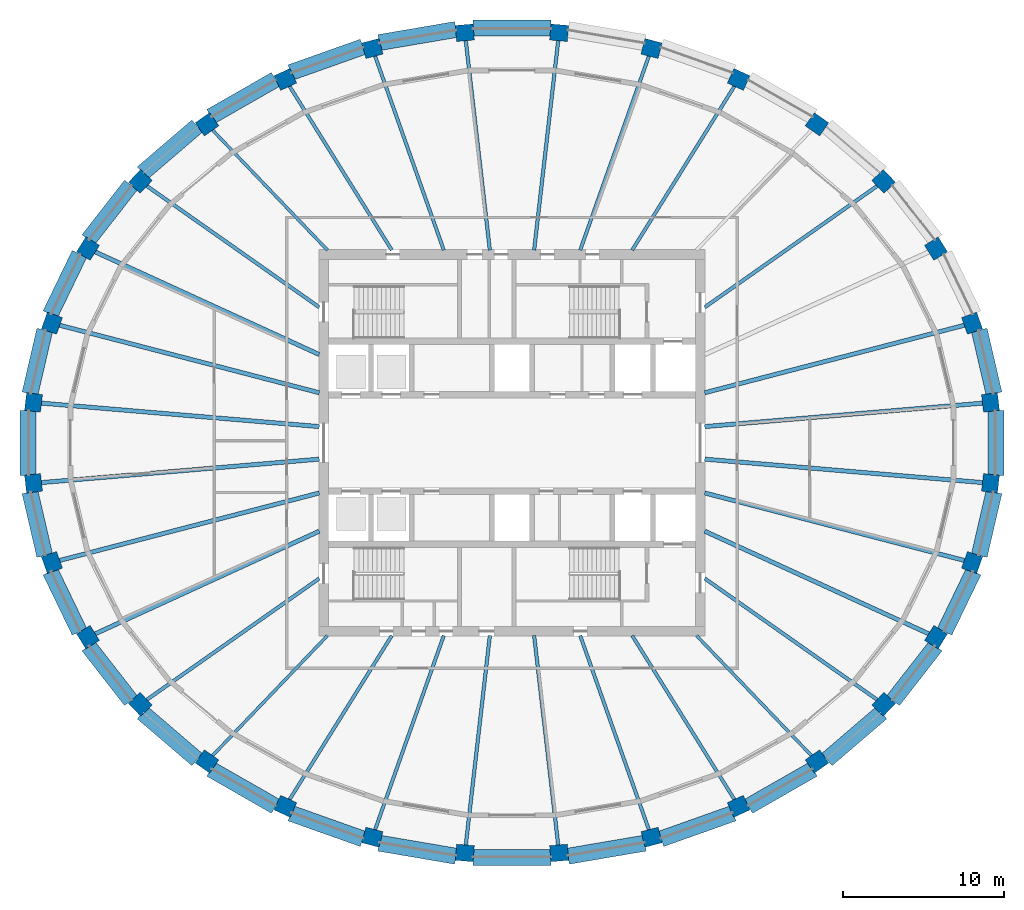
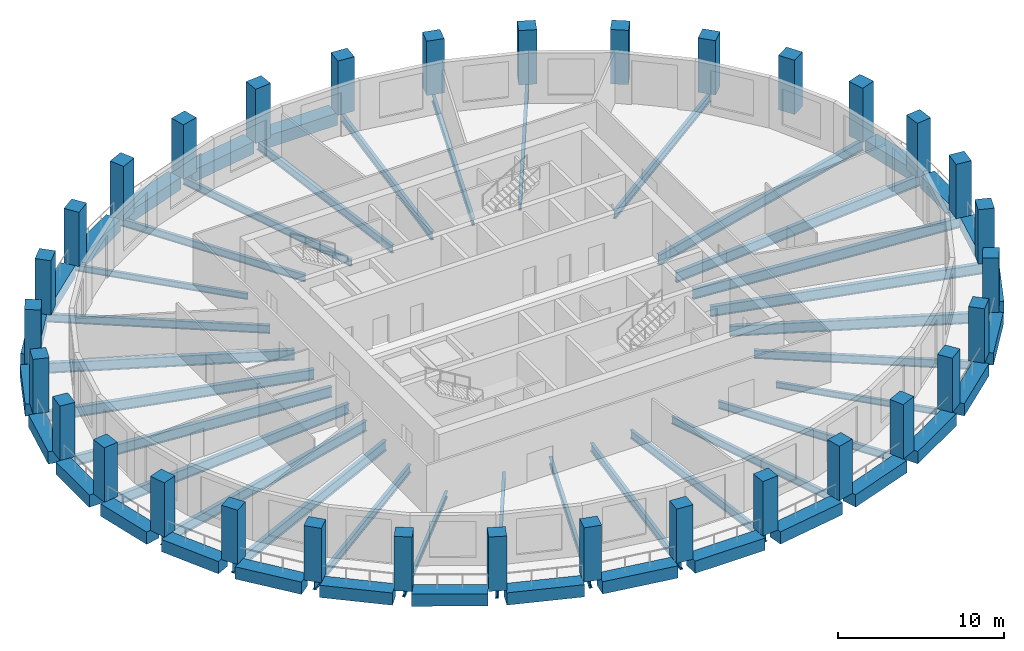
# One storey, part 1 of 10: 56 beams, 32 columns.
"""IFC4 building model written with IfcOpenShell, lengths in metres."""

from ifc_helpers import new_model, si_unit, direction, frame, origin, origin_2d, place, context, subcontext, project, spatial, rectangle, i_section, extrude, material, material_profile, profile_set, type_object, element, save


model = new_model("IFC4")

# Units and contexts
model_context = context("Model", 3, precision=1e-05, world=origin(), true_north=direction((0.0, 1.0)))
body_context = subcontext(model_context, "Body", "Model", "MODEL_VIEW")
ifc_project = project(units=[si_unit("LENGTHUNIT", "METRE"), si_unit("AREAUNIT", "SQUARE_METRE"), si_unit("VOLUMEUNIT", "CUBIC_METRE"), si_unit("PLANEANGLEUNIT", "RADIAN"), si_unit("MASSUNIT", "GRAM", prefix="KILO")], contexts=[model_context])

# Site, building, storey
site_placement = place(None, origin())
site = spatial("IfcSite", under=ifc_project, at=site_placement, CompositionType="ELEMENT")
building_placement = place(site_placement, origin())
building = spatial("IfcBuilding", under=site, at=building_placement, Name="Halqa Exchange Tower", CompositionType="ELEMENT")
storey_placement = place(building_placement, frame((0.0, 0.0, 264.300048828125)))
storey = spatial("IfcBuildingStorey", under=building, at=storey_placement, Name="L61", CompositionType="ELEMENT", Elevation=264.300048828125)

# Columns
ifc_material_1 = material(Name="Concrete C60/75", Category="concrete")
ifc_material_profile_1 = material_profile(ifc_material_1, rectangle(XDim=1.10009765625, YDim=1.0, at=origin_2d()), Name="1100 x 1000")
ifc_profile_set_1 = profile_set([ifc_material_profile_1], Name="Concrete C60/75")
column_type = type_object("IfcColumnType", Name="RC ring column 1100 x 1000 C60/75", PredefinedType="COLUMN", material=ifc_profile_set_1)
for number, where, z_axis, x_axis, name in (
    (1, (29.724609375, 2.509521484375, 0.0), (0.0, 0.0, 1.0), (-0.114155188058, 0.993462929877, 0.0), "Ring column 1"),
    (2, (28.582275390625, 7.431640625, 0.0), (0.0, 0.0, 1.0), (-0.33362752424, 0.942704977747, 0.0), "Ring column 2"),
    (3, (26.341552734375, 12.068603515625, 0.0), (0.0, 0.0, 1.0), (-0.529141977228, 0.848533303964, 0.0), "Ring column 3"),
    (4, (23.088623046875, 16.241455078125, 0.0), (0.0, 0.0, 1.0), (-0.69157987326, 0.722299992317, 0.0), "Ring column 4"),
    (5, (18.9482421875, 19.790283203125, 0.0), (0.0, 0.0, 1.0), (-0.817906779671, 0.575350762377, 0.0), "Ring column 5"),
    (6, (14.079833984375, 22.57861328125, 0.0), (0.0, 0.0, 1.0), (-0.909127095833, 0.416518815449, 0.0), "Ring column 6"),
    (7, (8.67041015625, 24.4990234375, 0.0), (0.0, 0.0, 1.0), (-0.967820381973, 0.251642023988, 0.0), "Ring column 7"),
    (8, (2.927490234375, 25.478271484375, 0.0), (0.0, 0.0, 1.0), (-0.996455518985, 0.084121333105, 0.0), "Ring column 8"),
    (9, (-2.927490234375, 25.478271484375, 0.0), (0.0, 0.0, 1.0), (-0.996455518985, -0.084121333105, 0.0), "Ring column 9"),
    (10, (-8.67041015625, 24.4990234375, 0.0), (0.0, 0.0, 1.0), (-0.967820381973, -0.251642023988, 0.0), "Ring column 10"),
    (11, (-14.079833984375, 22.57861328125, 0.0), (0.0, 0.0, 1.0), (-0.909127095833, -0.416518815449, 0.0), "Ring column 11"),
    (12, (-18.9482421875, 19.790283203125, 0.0), (0.0, 0.0, 1.0), (-0.817906779671, -0.575350762377, 0.0), "Ring column 12"),
    (13, (-23.088623046875, 16.241455078125, 0.0), (0.0, 0.0, 1.0), (-0.69157987326, -0.722299992317, 0.0), "Ring column 13"),
    (14, (-26.341552734375, 12.068603515625, 0.0), (0.0, 0.0, 1.0), (-0.529141977228, -0.848533303964, 0.0), "Ring column 14"),
    (15, (-28.582275390625, 7.431640625, 0.0), (0.0, 0.0, 1.0), (-0.33362752424, -0.942704977747, 0.0), "Ring column 15"),
    (16, (-29.724609375, 2.509521484375, 0.0), (0.0, 0.0, 1.0), (-0.114155188058, -0.993462929877, 0.0), "Ring column 16"),
    (17, (-29.724609375, -2.509521484375, 0.0), (0.0, 0.0, 1.0), (0.114155188058, -0.993462929877, 0.0), "Ring column 17"),
    (18, (-28.582275390625, -7.431640625, 0.0), (0.0, 0.0, 1.0), (0.33362752424, -0.942704977747, 0.0), "Ring column 18"),
    (19, (-26.341552734375, -12.068603515625, 0.0), (0.0, 0.0, 1.0), (0.529141977228, -0.848533303964, 0.0), "Ring column 19"),
    (20, (-23.088623046875, -16.241455078125, 0.0), (0.0, 0.0, 1.0), (0.69157987326, -0.722299992317, 0.0), "Ring column 20"),
    (21, (-18.9482421875, -19.790283203125, 0.0), (0.0, 0.0, 1.0), (0.817906779671, -0.575350762377, 0.0), "Ring column 21"),
    (22, (-14.079833984375, -22.57861328125, 0.0), (0.0, 0.0, 1.0), (0.909127095833, -0.416518815449, 0.0), "Ring column 22"),
    (23, (-8.67041015625, -24.4990234375, 0.0), (0.0, 0.0, 1.0), (0.967820381973, -0.251642023988, 0.0), "Ring column 23"),
    (24, (-2.927490234375, -25.478271484375, 0.0), (0.0, 0.0, 1.0), (0.996455518985, -0.084121333105, 0.0), "Ring column 24"),
    (25, (2.927490234375, -25.478271484375, 0.0), (0.0, 0.0, 1.0), (0.996455518985, 0.084121333105, 0.0), "Ring column 25"),
    (26, (8.67041015625, -24.4990234375, 0.0), (0.0, 0.0, 1.0), (0.967820381973, 0.251642023988, 0.0), "Ring column 26"),
    (27, (14.079833984375, -22.57861328125, 0.0), (0.0, 0.0, 1.0), (0.909127095833, 0.416518815449, 0.0), "Ring column 27"),
    (28, (18.9482421875, -19.790283203125, 0.0), (0.0, 0.0, 1.0), (0.817906779671, 0.575350762377, 0.0), "Ring column 28"),
    (29, (23.088623046875, -16.241455078125, 0.0), (0.0, 0.0, 1.0), (0.69157987326, 0.722299992317, 0.0), "Ring column 29"),
    (30, (26.341552734375, -12.068603515625, 0.0), (0.0, 0.0, 1.0), (0.529141977228, 0.848533303964, 0.0), "Ring column 30"),
    (31, (28.582275390625, -7.431640625, 0.0), (0.0, 0.0, 1.0), (0.33362752424, 0.942704977747, 0.0), "Ring column 31"),
    (32, (29.724609375, -2.509521484375, 0.0), (0.0, 0.0, 1.0), (0.114155188058, 0.993462929877, 0.0), "Ring column 32"),
):
    element("IfcColumn", number, at=place(storey_placement, frame(where, z_axis=z_axis, x_axis=x_axis)), inside=storey, type_object=column_type, Name=name, PredefinedType="COLUMN", context=body_context, shape_type="SweptSolid", body=[
        extrude(rectangle(XDim=1.10009765625, YDim=1.0, at=origin_2d()), origin(), (0.0, 0.0, 1.0), 4.0),
    ])

# Beams
ifc_material_2 = material(Name="Steel S355", Category="steel")
ifc_material_profile_2 = material_profile(ifc_material_2, i_section(OverallWidth=0.18994140625, OverallDepth=0.449951171875, WebThickness=0.009521484375, FlangeThickness=0.0146484375, FilletRadius=0.02099609375, at=origin_2d()), Name="IPE 450")
ifc_profile_set_2 = profile_set([ifc_material_profile_2], Name="Steel S355")
beam_type_1 = type_object("IfcBeamType", Name="Floor beam IPE 450", PredefinedType="BEAM", material=ifc_profile_set_2)
for number, where, z_axis, x_axis, name in (
    (33, (-11.462890625, 11.97216796875, -0.525146484375), (-0.691571250257, 0.722308248477, 0.0), (-0.722308248477, -0.691571250257, 0.0), "Radial beam 12"),
    (34, (-11.462890625, -11.97216796875, -0.525146484375), (-0.691571250257, -0.722308248477, 0.0), (0.722308248477, -0.691571250257, 0.0), "Radial beam 21"),
    (35, (11.462890625, -11.97216796875, -0.525146484375), (0.691571250257, -0.722308248477, 0.0), (0.722308248477, 0.691571250257, 0.0), "Radial beam 28"),
):
    element("IfcBeam", number, at=place(storey_placement, frame(where, z_axis=z_axis, x_axis=x_axis)), inside=storey, type_object=beam_type_1, Name=name, PredefinedType="BEAM", context=body_context, shape_type="SweptSolid", body=[
        extrude(i_section(OverallWidth=0.18994140625, OverallDepth=0.449951171875, WebThickness=0.009521484375, FlangeThickness=0.0146484375, FilletRadius=0.02099609375, at=origin_2d()), origin(), (0.0, 0.0, 1.0), 10.8896484375),
    ])
ifc_material_profile_3 = material_profile(ifc_material_2, i_section(OverallWidth=0.2099609375, OverallDepth=0.550048828125, WebThickness=0.010986328125, FlangeThickness=0.01708984375, FilletRadius=0.02392578125, at=origin_2d()), Name="IPE 550")
ifc_profile_set_3 = profile_set([ifc_material_profile_3], Name="Steel S355")
beam_type_2 = type_object("IfcBeamType", Name="Floor beam IPE 550", PredefinedType="BEAM", material=ifc_profile_set_3)
beam_1_placement = place(storey_placement, frame((7.46533203125, 11.971435546875, -0.574951171875), z_axis=(0.529149067811, 0.848528882263, 0.0), x_axis=(-0.848528882263, 0.529149067811, 0.0)))
element("IfcBeam", 36, at=beam_1_placement, inside=storey, type_object=beam_type_2, Name="Radial beam 6", PredefinedType="BEAM", context=body_context, shape_type="SweptSolid", body=[
    extrude(i_section(OverallWidth=0.2099609375, OverallDepth=0.550048828125, WebThickness=0.010986328125, FlangeThickness=0.01708984375, FilletRadius=0.02392578125, at=origin_2d()), origin(), (0.0, 0.0, 1.0), 12.55322265625),
])
for number, where, z_axis, x_axis, name in (
    (37, (4.23681640625, 11.971923828125, -0.574951171875), (0.333635977783, 0.942701985958, 0.0), (-0.942701985958, 0.333635977783, 0.0), "Radial beam 7"),
    (38, (-4.23681640625, 11.971923828125, -0.574951171875), (-0.333635977783, 0.942701985958, 0.0), (-0.942701985958, -0.333635977783, 0.0), "Radial beam 10"),
):
    element("IfcBeam", number, at=place(storey_placement, frame(where, z_axis=z_axis, x_axis=x_axis)), inside=storey, type_object=beam_type_2, Name=name, PredefinedType="BEAM", context=body_context, shape_type="SweptSolid", body=[
        extrude(i_section(OverallWidth=0.2099609375, OverallDepth=0.550048828125, WebThickness=0.010986328125, FlangeThickness=0.01708984375, FilletRadius=0.02392578125, at=origin_2d()), origin(), (0.0, 0.0, 1.0), 13.333984375),
    ])
for number, where, z_axis, x_axis, name in (
    (39, (-7.46533203125, 11.971435546875, -0.574951171875), (-0.529149067811, 0.848528882263, 0.0), (-0.848528882263, -0.529149067811, 0.0), "Radial beam 11"),
    (40, (-7.46533203125, -11.971435546875, -0.574951171875), (-0.529149067811, -0.848528882263, 0.0), (0.848528882263, -0.529149067811, 0.0), "Radial beam 22"),
):
    element("IfcBeam", number, at=place(storey_placement, frame(where, z_axis=z_axis, x_axis=x_axis)), inside=storey, type_object=beam_type_2, Name=name, PredefinedType="BEAM", context=body_context, shape_type="SweptSolid", body=[
        extrude(i_section(OverallWidth=0.2099609375, OverallDepth=0.550048828125, WebThickness=0.010986328125, FlangeThickness=0.01708984375, FilletRadius=0.02392578125, at=origin_2d()), origin(), (0.0, 0.0, 1.0), 12.55322265625),
    ])
for number, where, z_axis, x_axis, name in (
    (41, (-4.23681640625, -11.971923828125, -0.574951171875), (-0.333635977783, -0.942701985958, 0.0), (0.942701985958, -0.333635977783, 0.0), "Radial beam 23"),
    (42, (4.23681640625, -11.971923828125, -0.574951171875), (0.333635977783, -0.942701985958, 0.0), (0.942701985958, 0.333635977783, 0.0), "Radial beam 26"),
):
    element("IfcBeam", number, at=place(storey_placement, frame(where, z_axis=z_axis, x_axis=x_axis)), inside=storey, type_object=beam_type_2, Name=name, PredefinedType="BEAM", context=body_context, shape_type="SweptSolid", body=[
        extrude(i_section(OverallWidth=0.2099609375, OverallDepth=0.550048828125, WebThickness=0.010986328125, FlangeThickness=0.01708984375, FilletRadius=0.02392578125, at=origin_2d()), origin(), (0.0, 0.0, 1.0), 13.333984375),
    ])
beam_2_placement = place(storey_placement, frame((7.46533203125, -11.971435546875, -0.574951171875), z_axis=(0.529149067811, -0.848528882263, 0.0), x_axis=(0.848528882263, 0.529149067811, 0.0)))
element("IfcBeam", 43, at=beam_2_placement, inside=storey, type_object=beam_type_2, Name="Radial beam 27", PredefinedType="BEAM", context=body_context, shape_type="SweptSolid", body=[
    extrude(i_section(OverallWidth=0.2099609375, OverallDepth=0.550048828125, WebThickness=0.010986328125, FlangeThickness=0.01708984375, FilletRadius=0.02392578125, at=origin_2d()), origin(), (0.0, 0.0, 1.0), 12.55322265625),
])
ifc_material_profile_4 = material_profile(ifc_material_2, i_section(OverallWidth=0.219970703125, OverallDepth=0.60009765625, WebThickness=0.011962890625, FlangeThickness=0.01904296875, FilletRadius=0.02392578125, at=origin_2d()), Name="IPE 600")
ifc_profile_set_4 = profile_set([ifc_material_profile_4], Name="Steel S355")
beam_type_3 = type_object("IfcBeamType", Name="Floor beam IPE 600", PredefinedType="BEAM", material=ifc_profile_set_4)
beam_3_placement = place(storey_placement, frame((11.972412109375, 8.421875, -0.60009765625), z_axis=(0.817903224898, 0.575355815737, 0.0), x_axis=(-0.575355815737, 0.817903224898, 0.0)))
element("IfcBeam", 44, at=beam_3_placement, inside=storey, type_object=beam_type_3, Name="Radial beam 4", PredefinedType="BEAM", context=body_context, shape_type="SweptSolid", body=[
    extrude(i_section(OverallWidth=0.219970703125, OverallDepth=0.60009765625, WebThickness=0.011962890625, FlangeThickness=0.01904296875, FilletRadius=0.02392578125, at=origin_2d()), origin(), (0.0, 0.0, 1.0), 13.670166015625),
])
for number, where, z_axis, x_axis, name in (
    (45, (1.375732421875, 11.972412109375, -0.60009765625), (0.114153092287, 0.993463170692, 0.0), (-0.993463170692, 0.114153092287, 0.0), "Radial beam 8"),
    (46, (-1.375732421875, 11.972412109375, -0.60009765625), (-0.114153092287, 0.993463170692, 0.0), (-0.993463170692, -0.114153092287, 0.0), "Radial beam 9"),
):
    element("IfcBeam", number, at=place(storey_placement, frame(where, z_axis=z_axis, x_axis=x_axis)), inside=storey, type_object=beam_type_3, Name=name, PredefinedType="BEAM", context=body_context, shape_type="SweptSolid", body=[
        extrude(i_section(OverallWidth=0.219970703125, OverallDepth=0.60009765625, WebThickness=0.011962890625, FlangeThickness=0.01904296875, FilletRadius=0.02392578125, at=origin_2d()), origin(), (0.0, 0.0, 1.0), 13.63427734375),
    ])
for number, where, z_axis, x_axis, name in (
    (47, (-11.972412109375, 8.421875, -0.60009765625), (-0.817903224898, 0.575355815737, 0.0), (-0.575355815737, -0.817903224898, 0.0), "Radial beam 13"),
    (48, (-11.972412109375, -8.421875, -0.60009765625), (-0.817903224898, -0.575355815737, 0.0), (0.575355815737, -0.817903224898, 0.0), "Radial beam 20"),
):
    element("IfcBeam", number, at=place(storey_placement, frame(where, z_axis=z_axis, x_axis=x_axis)), inside=storey, type_object=beam_type_3, Name=name, PredefinedType="BEAM", context=body_context, shape_type="SweptSolid", body=[
        extrude(i_section(OverallWidth=0.219970703125, OverallDepth=0.60009765625, WebThickness=0.011962890625, FlangeThickness=0.01904296875, FilletRadius=0.02392578125, at=origin_2d()), origin(), (0.0, 0.0, 1.0), 13.670166015625),
    ])
for number, where, z_axis, x_axis, name in (
    (49, (-1.375732421875, -11.972412109375, -0.60009765625), (-0.114153092287, -0.993463170692, 0.0), (0.993463170692, -0.114153092287, 0.0), "Radial beam 24"),
    (50, (1.375732421875, -11.972412109375, -0.60009765625), (0.114153092287, -0.993463170692, 0.0), (0.993463170692, 0.114153092287, 0.0), "Radial beam 25"),
):
    element("IfcBeam", number, at=place(storey_placement, frame(where, z_axis=z_axis, x_axis=x_axis)), inside=storey, type_object=beam_type_3, Name=name, PredefinedType="BEAM", context=body_context, shape_type="SweptSolid", body=[
        extrude(i_section(OverallWidth=0.219970703125, OverallDepth=0.60009765625, WebThickness=0.011962890625, FlangeThickness=0.01904296875, FilletRadius=0.02392578125, at=origin_2d()), origin(), (0.0, 0.0, 1.0), 13.63427734375),
    ])
beam_4_placement = place(storey_placement, frame((11.972412109375, -8.421875, -0.60009765625), z_axis=(0.817903224898, -0.575355815737, 0.0), x_axis=(0.575355815737, 0.817903224898, 0.0)))
element("IfcBeam", 51, at=beam_4_placement, inside=storey, type_object=beam_type_3, Name="Radial beam 29", PredefinedType="BEAM", context=body_context, shape_type="SweptSolid", body=[
    extrude(i_section(OverallWidth=0.219970703125, OverallDepth=0.60009765625, WebThickness=0.011962890625, FlangeThickness=0.01904296875, FilletRadius=0.02392578125, at=origin_2d()), origin(), (0.0, 0.0, 1.0), 13.670166015625),
])
ifc_material_profile_5 = material_profile(ifc_material_2, i_section(OverallWidth=0.264892578125, OverallDepth=0.7529296875, WebThickness=0.01318359375, FlangeThickness=0.01708984375, FilletRadius=0.01708984375, at=origin_2d()), Name="IPE 750x147")
ifc_profile_set_5 = profile_set([ifc_material_profile_5], Name="Steel S355")
beam_type_4 = type_object("IfcBeamType", Name="Floor beam IPE 750x147", PredefinedType="BEAM", material=ifc_profile_set_5)
beam_5_placement = place(storey_placement, frame((11.972900390625, 1.0107421875, -0.676513671875), z_axis=(0.996455563902, 0.084120801042, 0.0), x_axis=(-0.084120801042, 0.996455563902, 0.0)))
element("IfcBeam", 52, at=beam_5_placement, inside=storey, type_object=beam_type_4, Name="Radial beam 1", PredefinedType="BEAM", context=body_context, shape_type="SweptSolid", body=[
    extrude(i_section(OverallWidth=0.264892578125, OverallDepth=0.7529296875, WebThickness=0.01318359375, FlangeThickness=0.01708984375, FilletRadius=0.01708984375, at=origin_2d()), origin(), (0.0, 0.0, 1.0), 17.92431640625),
])
beam_6_placement = place(storey_placement, frame((11.97265625, 3.113037109375, -0.676513671875), z_axis=(0.96781864941, 0.25164868737, 0.0), x_axis=(-0.25164868737, 0.96781864941, 0.0)))
element("IfcBeam", 53, at=beam_6_placement, inside=storey, type_object=beam_type_4, Name="Radial beam 2", PredefinedType="BEAM", context=body_context, shape_type="SweptSolid", body=[
    extrude(i_section(OverallWidth=0.264892578125, OverallDepth=0.7529296875, WebThickness=0.01318359375, FlangeThickness=0.01708984375, FilletRadius=0.01708984375, at=origin_2d()), origin(), (0.0, 0.0, 1.0), 17.26416015625),
])
beam_7_placement = place(storey_placement, frame((-11.972412109375, 5.485107421875, -0.676513671875), z_axis=(-0.909125405475, 0.416522504938, 0.0), x_axis=(-0.416522504938, -0.909125405475, 0.0)))
element("IfcBeam", 54, at=beam_7_placement, inside=storey, type_object=beam_type_4, Name="Radial beam 14", PredefinedType="BEAM", context=body_context, shape_type="SweptSolid", body=[
    extrude(i_section(OverallWidth=0.264892578125, OverallDepth=0.7529296875, WebThickness=0.01318359375, FlangeThickness=0.01708984375, FilletRadius=0.01708984375, at=origin_2d()), origin(), (0.0, 0.0, 1.0), 15.897216796875),
])
beam_8_placement = place(storey_placement, frame((-11.97265625, 3.113037109375, -0.676513671875), z_axis=(-0.96781864941, 0.25164868737, 0.0), x_axis=(-0.25164868737, -0.96781864941, 0.0)))
element("IfcBeam", 55, at=beam_8_placement, inside=storey, type_object=beam_type_4, Name="Radial beam 15", PredefinedType="BEAM", context=body_context, shape_type="SweptSolid", body=[
    extrude(i_section(OverallWidth=0.264892578125, OverallDepth=0.7529296875, WebThickness=0.01318359375, FlangeThickness=0.01708984375, FilletRadius=0.01708984375, at=origin_2d()), origin(), (0.0, 0.0, 1.0), 17.26416015625),
])
for number, where, z_axis, x_axis, name in (
    (56, (-11.972900390625, 1.0107421875, -0.676513671875), (-0.996455563902, 0.084120801042, 0.0), (-0.084120801042, -0.996455563902, 0.0), "Radial beam 16"),
    (57, (-11.972900390625, -1.0107421875, -0.676513671875), (-0.996455563902, -0.084120801042, 0.0), (0.084120801042, -0.996455563902, 0.0), "Radial beam 17"),
):
    element("IfcBeam", number, at=place(storey_placement, frame(where, z_axis=z_axis, x_axis=x_axis)), inside=storey, type_object=beam_type_4, Name=name, PredefinedType="BEAM", context=body_context, shape_type="SweptSolid", body=[
        extrude(i_section(OverallWidth=0.264892578125, OverallDepth=0.7529296875, WebThickness=0.01318359375, FlangeThickness=0.01708984375, FilletRadius=0.01708984375, at=origin_2d()), origin(), (0.0, 0.0, 1.0), 17.92431640625),
    ])
beam_9_placement = place(storey_placement, frame((-11.97265625, -3.113037109375, -0.676513671875), z_axis=(-0.96781864941, -0.25164868737, 0.0), x_axis=(0.25164868737, -0.96781864941, 0.0)))
element("IfcBeam", 58, at=beam_9_placement, inside=storey, type_object=beam_type_4, Name="Radial beam 18", PredefinedType="BEAM", context=body_context, shape_type="SweptSolid", body=[
    extrude(i_section(OverallWidth=0.264892578125, OverallDepth=0.7529296875, WebThickness=0.01318359375, FlangeThickness=0.01708984375, FilletRadius=0.01708984375, at=origin_2d()), origin(), (0.0, 0.0, 1.0), 17.26416015625),
])
for number, where, z_axis, x_axis, name in (
    (59, (-11.972412109375, -5.485107421875, -0.676513671875), (-0.909125405475, -0.416522504938, 0.0), (0.416522504938, -0.909125405475, 0.0), "Radial beam 19"),
    (60, (11.972412109375, -5.485107421875, -0.676513671875), (0.909125405475, -0.416522504938, 0.0), (0.416522504938, 0.909125405475, 0.0), "Radial beam 30"),
):
    element("IfcBeam", number, at=place(storey_placement, frame(where, z_axis=z_axis, x_axis=x_axis)), inside=storey, type_object=beam_type_4, Name=name, PredefinedType="BEAM", context=body_context, shape_type="SweptSolid", body=[
        extrude(i_section(OverallWidth=0.264892578125, OverallDepth=0.7529296875, WebThickness=0.01318359375, FlangeThickness=0.01708984375, FilletRadius=0.01708984375, at=origin_2d()), origin(), (0.0, 0.0, 1.0), 15.897216796875),
    ])
beam_10_placement = place(storey_placement, frame((11.97265625, -3.113037109375, -0.676513671875), z_axis=(0.96781864941, -0.25164868737, 0.0), x_axis=(0.25164868737, 0.96781864941, 0.0)))
element("IfcBeam", 61, at=beam_10_placement, inside=storey, type_object=beam_type_4, Name="Radial beam 31", PredefinedType="BEAM", context=body_context, shape_type="SweptSolid", body=[
    extrude(i_section(OverallWidth=0.264892578125, OverallDepth=0.7529296875, WebThickness=0.01318359375, FlangeThickness=0.01708984375, FilletRadius=0.01708984375, at=origin_2d()), origin(), (0.0, 0.0, 1.0), 17.26416015625),
])
beam_11_placement = place(storey_placement, frame((11.972900390625, -1.0107421875, -0.676513671875), z_axis=(0.996455563902, -0.084120801042, 0.0), x_axis=(0.084120801042, 0.996455563902, 0.0)))
element("IfcBeam", 62, at=beam_11_placement, inside=storey, type_object=beam_type_4, Name="Radial beam 32", PredefinedType="BEAM", context=body_context, shape_type="SweptSolid", body=[
    extrude(i_section(OverallWidth=0.264892578125, OverallDepth=0.7529296875, WebThickness=0.01318359375, FlangeThickness=0.01708984375, FilletRadius=0.01708984375, at=origin_2d()), origin(), (0.0, 0.0, 1.0), 17.92431640625),
])
ifc_material_profile_6 = material_profile(ifc_material_1, rectangle(XDim=1.0, YDim=0.89990234375, at=origin_2d()), Name="1000 x 900")
ifc_profile_set_6 = profile_set([ifc_material_profile_6], Name="Concrete C60/75")
beam_type_5 = type_object("IfcBeamType", Name="RC spandrel beam 1000 x 900 C60/75", PredefinedType="SPANDREL", material=ifc_profile_set_6)
beam_12_placement = place(storey_placement, frame((29.9462890625, 3.04931640625, -0.449951171875), z_axis=(-0.226031895623, 0.974119901327, 0.0), x_axis=(-0.974119901327, -0.226031895623, 0.0)))
element("IfcBeam", 63, at=beam_12_placement, inside=storey, type_object=beam_type_5, Name="Spandrel 1", PredefinedType="SPANDREL", context=body_context, shape_type="SweptSolid", body=[
    extrude(rectangle(XDim=1.0, YDim=0.89990234375, at=origin_2d()), origin(), (0.0, 0.0, 1.0), 4.06005859375),
])
beam_13_placement = place(storey_placement, frame((2.4375, 25.77001953125, -0.449951171875), z_axis=(-1.0, 0.0, 0.0), x_axis=(0.0, -1.0, 0.0)))
element("IfcBeam", 64, at=beam_13_placement, inside=storey, type_object=beam_type_5, Name="Spandrel 8", PredefinedType="SPANDREL", context=body_context, shape_type="SweptSolid", body=[
    extrude(rectangle(XDim=1.0, YDim=0.89990234375, at=origin_2d()), origin(), (0.0, 0.0, 1.0), 4.875),
])
beam_14_placement = place(storey_placement, frame((-3.4775390625, 25.681884765625, -0.449951171875), z_axis=(-0.985781051948, -0.168034870249, 0.0), x_axis=(0.168034870249, -0.985781051948, 0.0)))
element("IfcBeam", 65, at=beam_14_placement, inside=storey, type_object=beam_type_5, Name="Spandrel 9", PredefinedType="SPANDREL", context=body_context, shape_type="SweptSolid", body=[
    extrude(rectangle(XDim=1.0, YDim=0.89990234375, at=origin_2d()), origin(), (0.0, 0.0, 1.0), 4.843994140625),
])
beam_15_placement = place(storey_placement, frame((-9.26416015625, 24.60400390625, -0.449951171875), z_axis=(-0.942372957307, -0.334564208094, 0.0), x_axis=(0.334564208094, -0.942372957307, 0.0)))
element("IfcBeam", 66, at=beam_15_placement, inside=storey, type_object=beam_type_5, Name="Spandrel 10", PredefinedType="SPANDREL", context=body_context, shape_type="SweptSolid", body=[
    extrude(rectangle(XDim=1.0, YDim=0.89990234375, at=origin_2d()), origin(), (0.0, 0.0, 1.0), 4.7578125),
])
beam_16_placement = place(storey_placement, frame((-14.6962890625, 22.576416015625, -0.449951171875), z_axis=(-0.867755612748, -0.496991143326, 0.0), x_axis=(0.496991143326, -0.867755612748, 0.0)))
element("IfcBeam", 67, at=beam_16_placement, inside=storey, type_object=beam_type_5, Name="Spandrel 11", PredefinedType="SPANDREL", context=body_context, shape_type="SweptSolid", body=[
    extrude(rectangle(XDim=1.0, YDim=0.89990234375, at=origin_2d()), origin(), (0.0, 0.0, 1.0), 4.62646484375),
])
beam_17_placement = place(storey_placement, frame((-19.563720703125, 19.67529296875, -0.449951171875), z_axis=(-0.75927203536, -0.650773367864, 0.0), x_axis=(0.650773367864, -0.75927203536, 0.0)))
element("IfcBeam", 68, at=beam_17_placement, inside=storey, type_object=beam_type_5, Name="Spandrel 12", PredefinedType="SPANDREL", context=body_context, shape_type="SweptSolid", body=[
    extrude(rectangle(XDim=1.0, YDim=0.89990234375, at=origin_2d()), origin(), (0.0, 0.0, 1.0), 4.466552734375),
])
beam_18_placement = place(storey_placement, frame((-23.676025390625, 16.012939453125, -0.449951171875), z_axis=(-0.614851813623, -0.788642661339, 0.0), x_axis=(0.788642661339, -0.614851813623, 0.0)))
element("IfcBeam", 69, at=beam_18_placement, inside=storey, type_object=beam_type_5, Name="Spandrel 13", PredefinedType="SPANDREL", context=body_context, shape_type="SweptSolid", body=[
    extrude(rectangle(XDim=1.0, YDim=0.89990234375, at=origin_2d()), origin(), (0.0, 0.0, 1.0), 4.301513671875),
])
beam_19_placement = place(storey_placement, frame((-26.872314453125, 11.733154296875, -0.449951171875), z_axis=(-0.435052831025, -0.900404927917, 0.0), x_axis=(0.900404927917, -0.435052831025, 0.0)))
element("IfcBeam", 70, at=beam_19_placement, inside=storey, type_object=beam_type_5, Name="Spandrel 14", PredefinedType="SPANDREL", context=body_context, shape_type="SweptSolid", body=[
    extrude(rectangle(XDim=1.0, YDim=0.89990234375, at=origin_2d()), origin(), (0.0, 0.0, 1.0), 4.15771484375),
])
beam_20_placement = place(storey_placement, frame((-29.028564453125, 7.00439453125, -0.449951171875), z_axis=(-0.226031895623, -0.974119901327, 0.0), x_axis=(0.974119901327, -0.226031895623, 0.0)))
element("IfcBeam", 71, at=beam_20_placement, inside=storey, type_object=beam_type_5, Name="Spandrel 15", PredefinedType="SPANDREL", context=body_context, shape_type="SweptSolid", body=[
    extrude(rectangle(XDim=1.0, YDim=0.89990234375, at=origin_2d()), origin(), (0.0, 0.0, 1.0), 4.06005859375),
])
beam_21_placement = place(storey_placement, frame((-30.06494140625, 2.01318359375, -0.449951171875), z_axis=(0.0, -1.0, 0.0), x_axis=(1.0, 0.0, 0.0)))
element("IfcBeam", 72, at=beam_21_placement, inside=storey, type_object=beam_type_5, Name="Spandrel 16", PredefinedType="SPANDREL", context=body_context, shape_type="SweptSolid", body=[
    extrude(rectangle(XDim=1.0, YDim=0.89990234375, at=origin_2d()), origin(), (0.0, 0.0, 1.0), 4.0263671875),
])
beam_22_placement = place(storey_placement, frame((-29.9462890625, -3.04931640625, -0.449951171875), z_axis=(0.226031895623, -0.974119901327, 0.0), x_axis=(0.974119901327, 0.226031895623, 0.0)))
element("IfcBeam", 73, at=beam_22_placement, inside=storey, type_object=beam_type_5, Name="Spandrel 17", PredefinedType="SPANDREL", context=body_context, shape_type="SweptSolid", body=[
    extrude(rectangle(XDim=1.0, YDim=0.89990234375, at=origin_2d()), origin(), (0.0, 0.0, 1.0), 4.06005859375),
])
beam_23_placement = place(storey_placement, frame((-28.68115234375, -7.989501953125, -0.449951171875), z_axis=(0.435052831025, -0.900404927917, 0.0), x_axis=(0.900404927917, 0.435052831025, 0.0)))
element("IfcBeam", 74, at=beam_23_placement, inside=storey, type_object=beam_type_5, Name="Spandrel 18", PredefinedType="SPANDREL", context=body_context, shape_type="SweptSolid", body=[
    extrude(rectangle(XDim=1.0, YDim=0.89990234375, at=origin_2d()), origin(), (0.0, 0.0, 1.0), 4.15771484375),
])
beam_24_placement = place(storey_placement, frame((-26.32080078125, -12.62060546875, -0.449951171875), z_axis=(0.614851813623, -0.788642661339, 0.0), x_axis=(0.788642661339, 0.614851813623, 0.0)))
element("IfcBeam", 75, at=beam_24_placement, inside=storey, type_object=beam_type_5, Name="Spandrel 19", PredefinedType="SPANDREL", context=body_context, shape_type="SweptSolid", body=[
    extrude(rectangle(XDim=1.0, YDim=0.89990234375, at=origin_2d()), origin(), (0.0, 0.0, 1.0), 4.301513671875),
])
beam_25_placement = place(storey_placement, frame((-22.955078125, -16.7685546875, -0.449951171875), z_axis=(0.75927203536, -0.650773367864, 0.0), x_axis=(0.650773367864, 0.75927203536, 0.0)))
element("IfcBeam", 76, at=beam_25_placement, inside=storey, type_object=beam_type_5, Name="Spandrel 20", PredefinedType="SPANDREL", context=body_context, shape_type="SweptSolid", body=[
    extrude(rectangle(XDim=1.0, YDim=0.89990234375, at=origin_2d()), origin(), (0.0, 0.0, 1.0), 4.466552734375),
])
beam_26_placement = place(storey_placement, frame((-18.7109375, -20.277099609375, -0.449951171875), z_axis=(0.867755612748, -0.496991143326, 0.0), x_axis=(0.496991143326, 0.867755612748, 0.0)))
element("IfcBeam", 77, at=beam_26_placement, inside=storey, type_object=beam_type_5, Name="Spandrel 21", PredefinedType="SPANDREL", context=body_context, shape_type="SweptSolid", body=[
    extrude(rectangle(XDim=1.0, YDim=0.89990234375, at=origin_2d()), origin(), (0.0, 0.0, 1.0), 4.62646484375),
])
beam_27_placement = place(storey_placement, frame((-13.747802734375, -23.01220703125, -0.449951171875), z_axis=(0.942372957307, -0.334564208094, 0.0), x_axis=(0.334564208094, 0.942372957307, 0.0)))
element("IfcBeam", 78, at=beam_27_placement, inside=storey, type_object=beam_type_5, Name="Spandrel 22", PredefinedType="SPANDREL", context=body_context, shape_type="SweptSolid", body=[
    extrude(rectangle(XDim=1.0, YDim=0.89990234375, at=origin_2d()), origin(), (0.0, 0.0, 1.0), 4.7578125),
])
beam_28_placement = place(storey_placement, frame((-8.252685546875, -24.867919921875, -0.449951171875), z_axis=(0.985781051948, -0.168034870249, 0.0), x_axis=(0.168034870249, 0.985781051948, 0.0)))
element("IfcBeam", 79, at=beam_28_placement, inside=storey, type_object=beam_type_5, Name="Spandrel 23", PredefinedType="SPANDREL", context=body_context, shape_type="SweptSolid", body=[
    extrude(rectangle(XDim=1.0, YDim=0.89990234375, at=origin_2d()), origin(), (0.0, 0.0, 1.0), 4.843994140625),
])
beam_29_placement = place(storey_placement, frame((-2.4375, -25.77001953125, -0.449951171875), z_axis=(1.0, 0.0, 0.0), x_axis=(0.0, 1.0, 0.0)))
element("IfcBeam", 80, at=beam_29_placement, inside=storey, type_object=beam_type_5, Name="Spandrel 24", PredefinedType="SPANDREL", context=body_context, shape_type="SweptSolid", body=[
    extrude(rectangle(XDim=1.0, YDim=0.89990234375, at=origin_2d()), origin(), (0.0, 0.0, 1.0), 4.875),
])
beam_30_placement = place(storey_placement, frame((3.4775390625, -25.681884765625, -0.449951171875), z_axis=(0.985781051948, 0.168034870249, 0.0), x_axis=(-0.168034870249, 0.985781051948, 0.0)))
element("IfcBeam", 81, at=beam_30_placement, inside=storey, type_object=beam_type_5, Name="Spandrel 25", PredefinedType="SPANDREL", context=body_context, shape_type="SweptSolid", body=[
    extrude(rectangle(XDim=1.0, YDim=0.89990234375, at=origin_2d()), origin(), (0.0, 0.0, 1.0), 4.843994140625),
])
beam_31_placement = place(storey_placement, frame((9.26416015625, -24.60400390625, -0.449951171875), z_axis=(0.942372957307, 0.334564208094, 0.0), x_axis=(-0.334564208094, 0.942372957307, 0.0)))
element("IfcBeam", 82, at=beam_31_placement, inside=storey, type_object=beam_type_5, Name="Spandrel 26", PredefinedType="SPANDREL", context=body_context, shape_type="SweptSolid", body=[
    extrude(rectangle(XDim=1.0, YDim=0.89990234375, at=origin_2d()), origin(), (0.0, 0.0, 1.0), 4.7578125),
])
beam_32_placement = place(storey_placement, frame((14.6962890625, -22.576416015625, -0.449951171875), z_axis=(0.867755612748, 0.496991143326, 0.0), x_axis=(-0.496991143326, 0.867755612748, 0.0)))
element("IfcBeam", 83, at=beam_32_placement, inside=storey, type_object=beam_type_5, Name="Spandrel 27", PredefinedType="SPANDREL", context=body_context, shape_type="SweptSolid", body=[
    extrude(rectangle(XDim=1.0, YDim=0.89990234375, at=origin_2d()), origin(), (0.0, 0.0, 1.0), 4.62646484375),
])
beam_33_placement = place(storey_placement, frame((19.563720703125, -19.67529296875, -0.449951171875), z_axis=(0.75927203536, 0.650773367864, 0.0), x_axis=(-0.650773367864, 0.75927203536, 0.0)))
element("IfcBeam", 84, at=beam_33_placement, inside=storey, type_object=beam_type_5, Name="Spandrel 28", PredefinedType="SPANDREL", context=body_context, shape_type="SweptSolid", body=[
    extrude(rectangle(XDim=1.0, YDim=0.89990234375, at=origin_2d()), origin(), (0.0, 0.0, 1.0), 4.466552734375),
])
beam_34_placement = place(storey_placement, frame((23.676025390625, -16.012939453125, -0.449951171875), z_axis=(0.614851813623, 0.788642661339, 0.0), x_axis=(-0.788642661339, 0.614851813623, 0.0)))
element("IfcBeam", 85, at=beam_34_placement, inside=storey, type_object=beam_type_5, Name="Spandrel 29", PredefinedType="SPANDREL", context=body_context, shape_type="SweptSolid", body=[
    extrude(rectangle(XDim=1.0, YDim=0.89990234375, at=origin_2d()), origin(), (0.0, 0.0, 1.0), 4.301513671875),
])
beam_35_placement = place(storey_placement, frame((26.872314453125, -11.733154296875, -0.449951171875), z_axis=(0.435052831025, 0.900404927917, 0.0), x_axis=(-0.900404927917, 0.435052831025, 0.0)))
element("IfcBeam", 86, at=beam_35_placement, inside=storey, type_object=beam_type_5, Name="Spandrel 30", PredefinedType="SPANDREL", context=body_context, shape_type="SweptSolid", body=[
    extrude(rectangle(XDim=1.0, YDim=0.89990234375, at=origin_2d()), origin(), (0.0, 0.0, 1.0), 4.15771484375),
])
beam_36_placement = place(storey_placement, frame((29.028564453125, -7.00439453125, -0.449951171875), z_axis=(0.226031895623, 0.974119901327, 0.0), x_axis=(-0.974119901327, 0.226031895623, 0.0)))
element("IfcBeam", 87, at=beam_36_placement, inside=storey, type_object=beam_type_5, Name="Spandrel 31", PredefinedType="SPANDREL", context=body_context, shape_type="SweptSolid", body=[
    extrude(rectangle(XDim=1.0, YDim=0.89990234375, at=origin_2d()), origin(), (0.0, 0.0, 1.0), 4.06005859375),
])
beam_37_placement = place(storey_placement, frame((30.06494140625, -2.01318359375, -0.449951171875), z_axis=(0.0, 1.0, 0.0), x_axis=(-1.0, 0.0, 0.0)))
element("IfcBeam", 88, at=beam_37_placement, inside=storey, type_object=beam_type_5, Name="Spandrel 32", PredefinedType="SPANDREL", context=body_context, shape_type="SweptSolid", body=[
    extrude(rectangle(XDim=1.0, YDim=0.89990234375, at=origin_2d()), origin(), (0.0, 0.0, 1.0), 4.0263671875),
])

save(model, "model.ifc")
